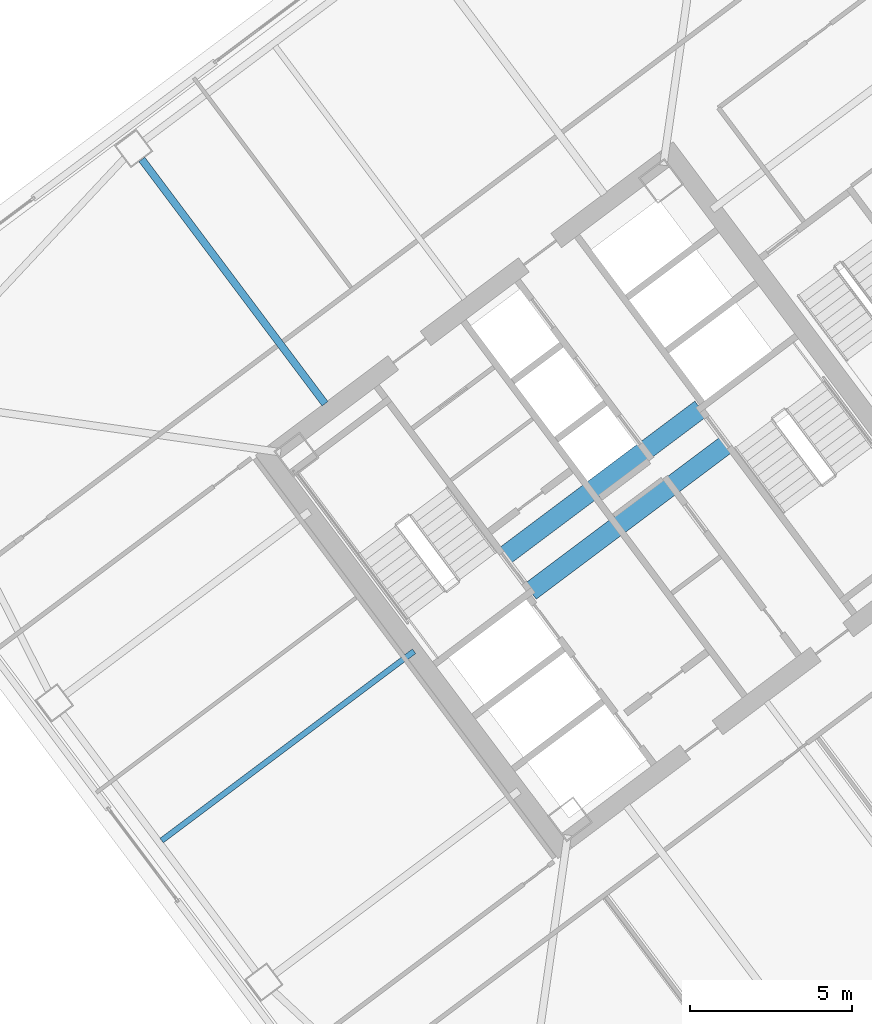
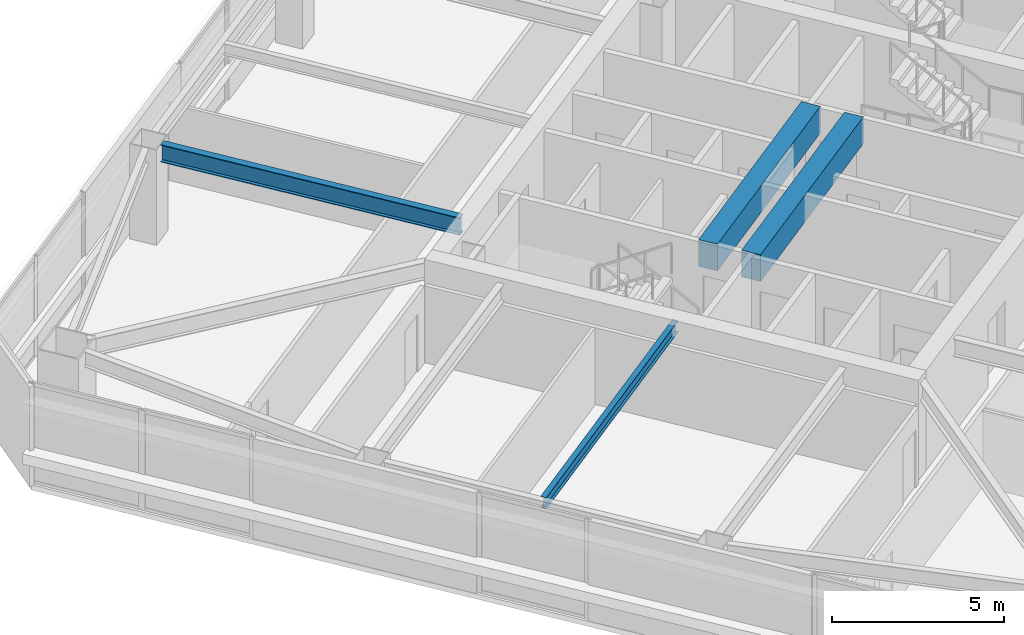
# One storey, part 22 of 44: 4 beams.
"""IFC4 building model written with IfcOpenShell, lengths in metres."""

from ifc_helpers import new_model, si_unit, direction, frame, origin, origin_2d, place, context, subcontext, project, spatial, rectangle, i_section, extrude, material, material_profile, profile_set, type_object, element, save


model = new_model("IFC4")

# Units and contexts
model_context = context("Model", 3, precision=1e-05, world=origin(), true_north=direction((0.0, 1.0)))
body_context = subcontext(model_context, "Body", "Model", "MODEL_VIEW")
ifc_project = project(units=[si_unit("LENGTHUNIT", "METRE"), si_unit("AREAUNIT", "SQUARE_METRE"), si_unit("VOLUMEUNIT", "CUBIC_METRE"), si_unit("PLANEANGLEUNIT", "RADIAN"), si_unit("MASSUNIT", "GRAM", prefix="KILO")], contexts=[model_context])

# Site, building, storey
site_placement = place(None, origin())
site = spatial("IfcSite", under=ifc_project, at=site_placement, CompositionType="ELEMENT")
building_placement = place(site_placement, origin())
building = spatial("IfcBuilding", under=site, at=building_placement, Name="Tashvorn Skyway Center", CompositionType="ELEMENT")
storey_placement = place(building_placement, frame((0.0, 0.0, 128.60009765625)))
storey = spatial("IfcBuildingStorey", under=building, at=storey_placement, Name="L34", CompositionType="ELEMENT", Elevation=128.60009765625)

# Beams
ifc_material_1 = material(Name="Steel ASTM A992 Grade 50", Category="steel")
ifc_material_profile_1 = material_profile(ifc_material_1, i_section(OverallWidth=0.22998046875, OverallDepth=0.616943359375, WebThickness=0.01318359375, FlangeThickness=0.022216796875, at=origin_2d()), Name="W24X94")
ifc_profile_set_1 = profile_set([ifc_material_profile_1], Name="Steel ASTM A992 Grade 50")
beam_type_1 = type_object("IfcBeamType", Name="BM-BEAM-W24X94", PredefinedType="BEAM", material=ifc_profile_set_1)
beam_1_placement = place(storey_placement, frame((99.342041015625, 42.5439453125, 3.0615234375), z_axis=(0.599991732772, -0.800006200354, 0.0), x_axis=(0.800006200354, 0.599991732772, 0.0)))
element("IfcBeam", 1, at=beam_1_placement, inside=storey, type_object=beam_type_1, Name="Tower 2 L34 Primary Floor Girder FC-N2", PredefinedType="BEAM", context=body_context, shape_type="SweptSolid", body=[
    extrude(i_section(OverallWidth=0.22998046875, OverallDepth=0.616943359375, WebThickness=0.01318359375, FlangeThickness=0.022216796875, at=origin_2d()), origin(), (0.0, 0.0, 1.0), 9.449951171875),
])
ifc_material_profile_2 = material_profile(ifc_material_1, i_section(OverallWidth=0.177978515625, OverallDepth=0.406005859375, WebThickness=0.0078125, FlangeThickness=0.0126953125, at=origin_2d()), Name="W16X40")
ifc_profile_set_2 = profile_set([ifc_material_profile_2], Name="Steel ASTM A992 Grade 50")
beam_type_2 = type_object("IfcBeamType", Name="BM-JOIST-W16X40", PredefinedType="JOIST", material=ifc_profile_set_2)
beam_2_placement = place(storey_placement, frame((107.76806640625, 27.325927734375, 3.1669921875), z_axis=(-0.800006001881, -0.599991997409, 0.0), x_axis=(0.599991997409, -0.800006001881, 0.0)))
element("IfcBeam", 2, at=beam_2_placement, inside=storey, type_object=beam_type_2, Name="Tower 2 L34 Secondary Composite Joist JW", PredefinedType="JOIST", context=body_context, shape_type="SweptSolid", body=[
    extrude(i_section(OverallWidth=0.177978515625, OverallDepth=0.406005859375, WebThickness=0.0078125, FlangeThickness=0.0126953125, at=origin_2d()), origin(), (0.0, 0.0, 1.0), 9.762451171875),
])
ifc_material_2 = material(Name="Concrete C60/75", Category="concrete")
ifc_material_profile_3 = material_profile(ifc_material_2, rectangle(XDim=0.60009765625, YDim=0.949951171875, at=origin_2d()), Name="RCB600x950")
ifc_profile_set_3 = profile_set([ifc_material_profile_3], Name="Concrete C60/75")
beam_type_3 = type_object("IfcBeamType", Name="BM-LINTEL-RCB600x950", PredefinedType="LINTEL", material=ifc_profile_set_3)
for number, where, z_axis, x_axis, name in (
    (3, (110.552001953125, 30.263916015625, 2.89501953125), (0.8, 0.6, 0.0), (-0.6, 0.8, 0.0), "Tower 2 L34 Core Coupling Beam CN"),
    (4, (111.367919921875, 29.176025390625, 2.89501953125), (0.8, 0.6, 0.0), (-0.6, 0.8, 0.0), "Tower 2 L34 Core Coupling Beam CS"),
):
    element("IfcBeam", number, at=place(storey_placement, frame(where, z_axis=z_axis, x_axis=x_axis)), inside=storey, type_object=beam_type_3, Name=name, PredefinedType="LINTEL", context=body_context, shape_type="SweptSolid", body=[
        extrude(rectangle(XDim=0.60009765625, YDim=0.949951171875, at=origin_2d()), origin(), (0.0, 0.0, 1.0), 7.60009765625),
    ])

save(model, "model.ifc")
